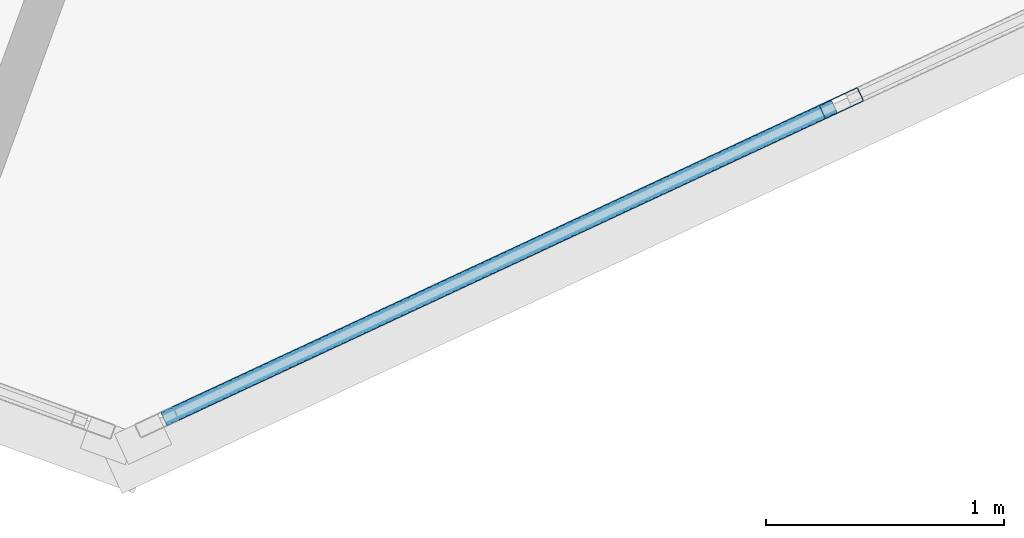
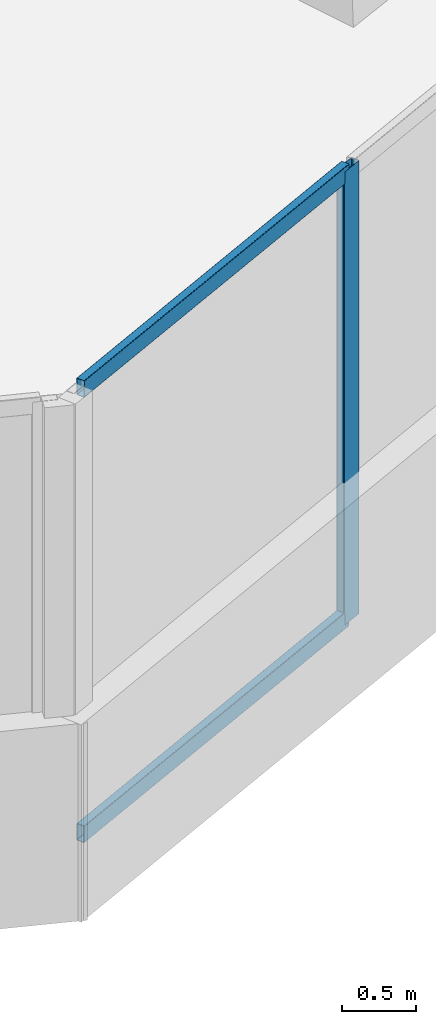
# One storey, part 5 of 21: 3 members, 1 element without a shape of its own.
"""IFC4 building model written with IfcOpenShell, lengths in metres."""

from ifc_helpers import new_model, si_unit, direction, frame, origin, origin_2d, place, context, subcontext, project, spatial, hollow_rectangle, extrude, source, transform, mapped, material, material_profile, profile_set, type_object, element, aggregate, save


model = new_model("IFC4")

# Units and contexts
model_context = context("Model", 3, precision=1e-05, world=origin(), true_north=direction((0.0, 1.0)))
body_context = subcontext(model_context, "Body", "Model", "MODEL_VIEW")
ifc_project = project(units=[si_unit("LENGTHUNIT", "METRE"), si_unit("AREAUNIT", "SQUARE_METRE"), si_unit("VOLUMEUNIT", "CUBIC_METRE"), si_unit("PLANEANGLEUNIT", "RADIAN"), si_unit("MASSUNIT", "GRAM", prefix="KILO")], contexts=[model_context])

# Site, building, storey
site_placement = place(None, origin())
site = spatial("IfcSite", under=ifc_project, at=site_placement, CompositionType="ELEMENT")
building_placement = place(site_placement, origin())
building = spatial("IfcBuilding", under=site, at=building_placement, Name="Torre Montelarca", CompositionType="ELEMENT")
storey_placement = place(building_placement, frame((0.0, 0.0, 133.0)))
storey = spatial("IfcBuildingStorey", under=building, at=storey_placement, Name="L29", CompositionType="ELEMENT", Elevation=133.0)

# Curtain wall, members
ifc_material_1 = material(Name="Insulated low-E laminated glass", Category="glass")
curtain_wall_type = type_object("IfcCurtainWallType", Name="CW-SYS-Z2", PredefinedType="USERDEFINED", material=ifc_material_1)
curtain_wall_placement = place(storey_placement, origin())
curtain_wall = element("IfcCurtainWall", 1, at=curtain_wall_placement, inside=storey, type_object=curtain_wall_type, Name="L29 Curtain Wall Run CW-T3-L29-E02-B1", ObjectType="UNITISED GLAZING", PredefinedType="USERDEFINED")
ifc_material_2 = material(Name="Anodised aluminium AA 6063-T6", Category="aluminium")
ifc_material_profile_1 = material_profile(ifc_material_2, hollow_rectangle(XDim=0.06494140625, YDim=0.139892578125, WallThickness=0.00390625, InnerFilletRadius=0.00390625, OuterFilletRadius=0.008056640625, at=origin_2d()), Name="ALU65X140X4", Category="aluminium")
ifc_profile_set_1 = profile_set([ifc_material_profile_1], Name="Anodised aluminium AA 6063-T6")
member_type_1 = type_object("IfcMemberType", Name="CWT-ALU140", PredefinedType="USERDEFINED", material=ifc_profile_set_1)
shared_shape_1 = source(origin(), body_context, "Body", "SweptSolid", [
    extrude(hollow_rectangle(XDim=0.06494140625, YDim=0.139892578125, WallThickness=0.00390625, InnerFilletRadius=0.00390625, OuterFilletRadius=0.008056640625, at=origin_2d()), origin(), (0.0, 0.0, 1.0), 3.102294921875),
])
member_1_placement = place(storey_placement, frame((25.672119140625, 11.385009765625, 0.032470703125), z_axis=(0.906321811417, 0.422588185058, 0.0), x_axis=(-0.422588185058, 0.906321811417, 0.0)))
member_1 = element("IfcMember", 2, at=member_1_placement, type_object=member_type_1, Name="CW transom 1.1", ObjectType="TRANSOM", PredefinedType="USERDEFINED", context=body_context, shape_type="MappedRepresentation", body=[
    mapped(shared_shape_1, transform((0.0, 0.0, 0.0), scale=1.0)),
])
member_2_placement = place(storey_placement, frame((25.672119140625, 11.385009765625, 3.6875), z_axis=(0.906321811417, 0.422588185058, 0.0), x_axis=(-0.422588185058, 0.906321811417, 0.0)))
member_2 = element("IfcMember", 3, at=member_2_placement, type_object=member_type_1, Name="CW transom 1.2", ObjectType="TRANSOM", PredefinedType="USERDEFINED", context=body_context, shape_type="MappedRepresentation", body=[
    mapped(shared_shape_1, transform((0.0, 0.0, 0.0), scale=1.0)),
])
ifc_material_profile_2 = material_profile(ifc_material_2, hollow_rectangle(XDim=0.06494140625, YDim=0.179931640625, WallThickness=0.00390625, InnerFilletRadius=0.00390625, OuterFilletRadius=0.008056640625, at=origin_2d()), Name="ALU65X180X4", Category="aluminium")
ifc_profile_set_2 = profile_set([ifc_material_profile_2], Name="Anodised aluminium AA 6063-T6")
member_type_2 = type_object("IfcMemberType", Name="CWM-ALU180", PredefinedType="MULLION", material=ifc_profile_set_2)
shared_shape_2 = source(origin(), body_context, "Body", "SweptSolid", [
    extrude(hollow_rectangle(XDim=0.06494140625, YDim=0.179931640625, WallThickness=0.00390625, InnerFilletRadius=0.00390625, OuterFilletRadius=0.008056640625, at=origin_2d()), origin(), (0.0, 0.0, 1.0), 3.719970703125),
])
member_3_placement = place(storey_placement, frame((28.513427734375, 12.7099609375, 0.0), z_axis=(0.0, 0.0, 1.0), x_axis=(-0.42258947224, 0.906321211244, 0.0)))
member_3 = element("IfcMember", 4, at=member_3_placement, type_object=member_type_2, Name="CW mullion 2", PredefinedType="MULLION", context=body_context, shape_type="MappedRepresentation", body=[
    mapped(shared_shape_2, transform((0.0, 0.0, 0.0), scale=1.0)),
])
aggregate(curtain_wall, [member_3, member_1, member_2])

save(model, "model.ifc")
